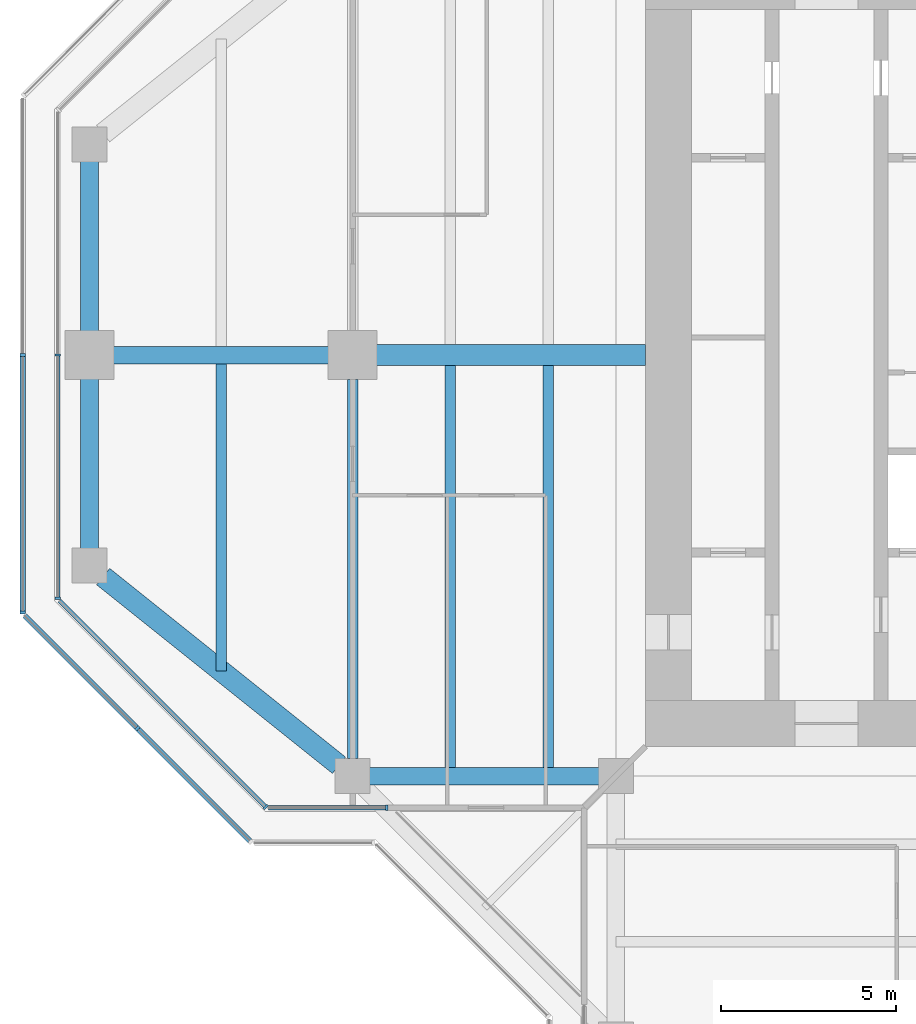
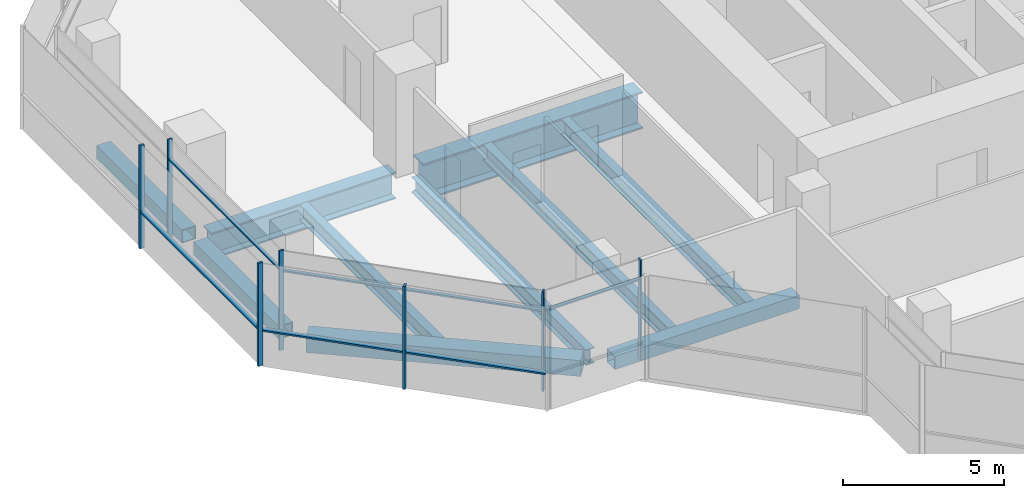
# One storey, part 3 of 16: 13 members, 10 beams, 5 elements without a shape of their own.
"""IFC4 building model written with IfcOpenShell, lengths in metres."""

from ifc_helpers import new_model, si_unit, direction, frame, origin, origin_2d, place, context, subcontext, project, spatial, rectangle, hollow_rectangle, i_section, extrude, material, material_profile, profile_set, type_object, element, aggregate, save


model = new_model("IFC4")

# Units and contexts
model_context = context("Model", 3, precision=1e-05, world=origin(), true_north=direction((0.0, 1.0)))
body_context = subcontext(model_context, "Body", "Model", "MODEL_VIEW")
ifc_project = project(units=[si_unit("LENGTHUNIT", "METRE"), si_unit("AREAUNIT", "SQUARE_METRE"), si_unit("VOLUMEUNIT", "CUBIC_METRE"), si_unit("PLANEANGLEUNIT", "RADIAN"), si_unit("MASSUNIT", "GRAM", prefix="KILO")], contexts=[model_context])

# Site, building, storey
site_placement = place(None, origin())
site = spatial("IfcSite", under=ifc_project, at=site_placement, CompositionType="ELEMENT")
building_placement = place(site_placement, origin())
building = spatial("IfcBuilding", under=site, at=building_placement, Name="Mizan Broadcast Tower", CompositionType="ELEMENT")
storey_placement = place(building_placement, frame((0.0, 0.0, 290.699951171875)))
storey = spatial("IfcBuildingStorey", under=building, at=storey_placement, Name="L69", CompositionType="ELEMENT", Elevation=290.699951171875)

# Beams
ifc_material_1 = material(Name="Steel S355", Category="steel")
ifc_material_profile_1 = material_profile(ifc_material_1, hollow_rectangle(XDim=0.5, YDim=0.5, WallThickness=0.030029296875, at=origin_2d()), Name="BOX 500x500x30")
ifc_profile_set_1 = profile_set([ifc_material_profile_1], Name="Steel S355")
beam_type_1 = type_object("IfcBeamType", Name="EDGE BEAM BOX 500x500x30", PredefinedType="SPANDREL", material=ifc_profile_set_1)
beam_1_placement = place(storey_placement, frame((-27.0, 5.639892578125, -0.3798828125), z_axis=(0.0, -1.0, 0.0), x_axis=(1.0, 0.0, 0.0)))
element("IfcBeam", 1, at=beam_1_placement, inside=storey, type_object=beam_type_1, Name="Edge beam BOX 500x500x30 L69 west arm", PredefinedType="SPANDREL", context=body_context, shape_type="SweptSolid", body=[
    extrude(hollow_rectangle(XDim=0.5, YDim=0.5, WallThickness=0.030029296875, at=origin_2d()), origin(), (0.0, 0.0, 1.0), 5.27978515625),
])
beam_2_placement = place(storey_placement, frame((-12.449951171875, -12.0, -0.3798828125), z_axis=(-1.0, 0.0, 0.0), x_axis=(0.0, -1.0, 0.0)))
element("IfcBeam", 2, at=beam_2_placement, inside=storey, type_object=beam_type_1, Name="Edge beam BOX 500x500x30 L69 west arm", PredefinedType="SPANDREL", context=body_context, shape_type="SweptSolid", body=[
    extrude(hollow_rectangle(XDim=0.5, YDim=0.5, WallThickness=0.030029296875, at=origin_2d()), origin(), (0.0, 0.0, 1.0), 6.60009765625),
])
beam_3_placement = place(storey_placement, frame((-27.0, -5.639892578125, -0.3798828125), z_axis=(0.0, 1.0, 0.0), x_axis=(-1.0, 0.0, 0.0)))
element("IfcBeam", 3, at=beam_3_placement, inside=storey, type_object=beam_type_1, Name="Edge beam BOX 500x500x30 L69 west arm", PredefinedType="SPANDREL", context=body_context, shape_type="SweptSolid", body=[
    extrude(hollow_rectangle(XDim=0.5, YDim=0.5, WallThickness=0.030029296875, at=origin_2d()), origin(), (0.0, 0.0, 1.0), 5.27978515625),
])
ifc_material_2 = material(Name="Steel S355", Category="steel")
ifc_material_profile_2 = material_profile(ifc_material_2, hollow_rectangle(XDim=0.60009765625, YDim=0.60009765625, WallThickness=0.030029296875, at=origin_2d()), Name="BOX 600x600x30")
ifc_profile_set_2 = profile_set([ifc_material_profile_2], Name="Steel S355")
beam_type_2 = type_object("IfcBeamType", Name="EDGE BEAM BOX 600x600x30", PredefinedType="SPANDREL", material=ifc_profile_set_2)
beam_4_placement = place(storey_placement, frame((-19.890380859375, -11.687744140625, -0.429931640625), z_axis=(-0.780863273348, 0.62470196761, 0.0), x_axis=(-0.62470196761, -0.780863273348, 0.0)))
element("IfcBeam", 4, at=beam_4_placement, inside=storey, type_object=beam_type_2, Name="Edge beam BOX 600x600x30 L69 west arm", PredefinedType="SPANDREL", context=body_context, shape_type="SweptSolid", body=[
    extrude(hollow_rectangle(XDim=0.60009765625, YDim=0.60009765625, WallThickness=0.030029296875, at=origin_2d()), origin(), (0.0, 0.0, 1.0), 8.60498046875),
])
ifc_material_3 = material(Name="Steel S355", Category="steel")
ifc_material_profile_3 = material_profile(ifc_material_3, i_section(OverallWidth=0.300048828125, OverallDepth=0.590087890625, WebThickness=0.012939453125, FlangeThickness=0.02490234375, FilletRadius=0.027099609375, at=origin_2d()), Name="HEA 600")
ifc_profile_set_3 = profile_set([ifc_material_profile_3], Name="Steel S355")
beam_type_3 = type_object("IfcBeamType", Name="GIRDER HEA 600", PredefinedType="BEAM", material=ifc_profile_set_3)
beam_5_placement = place(storey_placement, frame((-19.5, -11.5, -0.425048828125), z_axis=(0.0, 1.0, 0.0), x_axis=(-1.0, 0.0, 0.0)))
element("IfcBeam", 5, at=beam_5_placement, inside=storey, type_object=beam_type_3, Name="Girder HEA 600 L69 west arm", PredefinedType="BEAM", context=body_context, shape_type="SweptSolid", body=[
    extrude(i_section(OverallWidth=0.300048828125, OverallDepth=0.590087890625, WebThickness=0.012939453125, FlangeThickness=0.02490234375, FilletRadius=0.027099609375, at=origin_2d()), origin(), (0.0, 0.0, 1.0), 10.800048828125),
])
ifc_material_4 = material(Name="Steel S460", Category="steel")
ifc_material_profile_4 = material_profile(ifc_material_4, i_section(OverallWidth=0.5, OverallDepth=1.0, WebThickness=0.02490234375, FlangeThickness=0.050048828125, at=origin_2d()), Name="WPG 1000x500")
ifc_profile_set_4 = profile_set([ifc_material_profile_4], Name="Steel S460")
beam_type_4 = type_object("IfcBeamType", Name="GIRDER WPG 1000x500", PredefinedType="BEAM", material=ifc_profile_set_4)
beam_6_placement = place(storey_placement, frame((-19.949951171875, 0.0, -0.6298828125), z_axis=(-1.0, 0.0, 0.0), x_axis=(0.0, -1.0, 0.0)))
element("IfcBeam", 6, at=beam_6_placement, inside=storey, type_object=beam_type_4, Name="Girder WPG 1000x500 L69 west arm", PredefinedType="BEAM", context=body_context, shape_type="SweptSolid", body=[
    extrude(i_section(OverallWidth=0.5, OverallDepth=1.0, WebThickness=0.02490234375, FlangeThickness=0.050048828125, at=origin_2d()), origin(), (0.0, 0.0, 1.0), 6.60009765625),
])
ifc_material_5 = material(Name="Steel S460", Category="steel")
ifc_material_profile_5 = material_profile(ifc_material_5, i_section(OverallWidth=0.60009765625, OverallDepth=1.39990234375, WebThickness=0.02490234375, FlangeThickness=0.06005859375, at=origin_2d()), Name="WPG 1400x600")
ifc_profile_set_5 = profile_set([ifc_material_profile_5], Name="Steel S460")
beam_type_5 = type_object("IfcBeamType", Name="GIRDER WPG 1400x600", PredefinedType="BEAM", material=ifc_profile_set_5)
beam_7_placement = place(storey_placement, frame((-11.14990234375, 0.0, -0.829833984375), z_axis=(-1.0, 0.0, 0.0), x_axis=(0.0, -1.0, 0.0)))
element("IfcBeam", 7, at=beam_7_placement, inside=storey, type_object=beam_type_5, Name="Girder WPG 1400x600 L69 west arm", PredefinedType="BEAM", context=body_context, shape_type="SweptSolid", body=[
    extrude(i_section(OverallWidth=0.60009765625, OverallDepth=1.39990234375, WebThickness=0.02490234375, FlangeThickness=0.06005859375, at=origin_2d()), origin(), (0.0, 0.0, 1.0), 7.84912109375),
])

# Curtain wall, members
ifc_material_6 = material(Name="Aluminium framed glazing", Category="aluminium")
curtain_wall_type_1 = type_object("IfcCurtainWallType", Name="INNER SKIN TOP ZONE", PredefinedType="USERDEFINED", material=ifc_material_6)
curtain_wall_1_placement = place(storey_placement, origin())
curtain_wall_1 = element("IfcCurtainWall", 8, at=curtain_wall_1_placement, inside=storey, type_object=curtain_wall_type_1, Name="Inner skin top zone L69 W end", ObjectType="INNER SKIN TOP ZONE", PredefinedType="USERDEFINED")
ifc_material_7 = material(Name="Aluminium, pale anodised", Category="aluminium")
ifc_material_profile_6 = material_profile(ifc_material_7, rectangle(XDim=0.159912109375, YDim=0.06005859375, at=origin_2d()), Name="MULLION 160x60")
ifc_profile_set_6 = profile_set([ifc_material_profile_6], Name="Aluminium, pale anodised")
member_type_1 = type_object("IfcMemberType", Name="INNER SKIN MULLION 60x160", PredefinedType="MULLION", material=ifc_profile_set_6)
member_1_placement = place(storey_placement, frame((-27.89990234375, 0.0, 0.0), z_axis=(0.0, 0.0, 1.0), x_axis=(1.0, 0.0, 0.0)))
member_1 = element("IfcMember", 9, at=member_1_placement, type_object=member_type_1, Name="Inner skin top zone L69 W end mullion 2", PredefinedType="MULLION", context=body_context, shape_type="SweptSolid", body=[
    extrude(rectangle(XDim=0.159912109375, YDim=0.06005859375, at=origin_2d()), origin(), (0.0, 0.0, 1.0), 3.77001953125),
])
member_2_placement = place(storey_placement, frame((-27.89990234375, -6.928466796875, 0.0), z_axis=(0.0, 0.0, 1.0), x_axis=(1.0, 0.0, 0.0)))
member_2 = element("IfcMember", 10, at=member_2_placement, type_object=member_type_1, Name="Inner skin top zone L69 W end mullion 3", PredefinedType="MULLION", context=body_context, shape_type="SweptSolid", body=[
    extrude(rectangle(XDim=0.159912109375, YDim=0.06005859375, at=origin_2d()), origin(), (0.0, 0.0, 1.0), 3.77001953125),
])

# Curtain wall, member
curtain_wall_2_placement = place(storey_placement, origin())
curtain_wall_2 = element("IfcCurtainWall", 11, at=curtain_wall_2_placement, inside=storey, type_object=curtain_wall_type_1, Name="Inner skin top zone L69 W chamfer", ObjectType="INNER SKIN TOP ZONE", PredefinedType="USERDEFINED")
member_3_placement = place(storey_placement, frame((-21.979736328125, -12.87890625, 0.0), z_axis=(0.0, 0.0, 1.0), x_axis=(0.707106781187, 0.707106781187, 0.0)))
member_3 = element("IfcMember", 12, at=member_3_placement, type_object=member_type_1, Name="Inner skin top zone L69 W chamfer mullion 2", PredefinedType="MULLION", context=body_context, shape_type="SweptSolid", body=[
    extrude(rectangle(XDim=0.159912109375, YDim=0.06005859375, at=origin_2d()), origin(), (0.0, 0.0, 1.0), 3.77001953125),
])

curtain_wall_3_placement = place(storey_placement, origin())
curtain_wall_3 = element("IfcCurtainWall", 13, at=curtain_wall_3_placement, inside=storey, type_object=curtain_wall_type_1, Name="Inner skin top zone L69 W side", ObjectType="INNER SKIN TOP ZONE", PredefinedType="USERDEFINED")
member_4_placement = place(storey_placement, frame((-18.530029296875, -12.89990234375, 0.0), z_axis=(0.0, 0.0, 1.0), x_axis=(0.0, 1.0, 0.0)))
member_4 = element("IfcMember", 14, at=member_4_placement, type_object=member_type_1, Name="Inner skin top zone L69 W side mullion 2", PredefinedType="MULLION", context=body_context, shape_type="SweptSolid", body=[
    extrude(rectangle(XDim=0.159912109375, YDim=0.06005859375, at=origin_2d()), origin(), (0.0, 0.0, 1.0), 3.77001953125),
])

# Member
ifc_material_8 = material(Name="Aluminium, pale anodised", Category="aluminium")
ifc_material_profile_7 = material_profile(ifc_material_8, rectangle(XDim=0.1201171875, YDim=0.06005859375, at=origin_2d()), Name="TRANSOM 120x60")
ifc_profile_set_7 = profile_set([ifc_material_profile_7], Name="Aluminium, pale anodised")
member_type_2 = type_object("IfcMemberType", Name="INNER SKIN TRANSOM 60x120", PredefinedType="USERDEFINED", material=ifc_profile_set_7)
member_5_placement = place(storey_placement, frame((-27.89990234375, -0.030029296875, 3.030029296875), z_axis=(0.0, -1.0, 0.0), x_axis=(1.0, 0.0, 0.0)))
member_5 = element("IfcMember", 15, at=member_5_placement, type_object=member_type_2, Name="Inner skin top zone L69 W end transom 2.1", ObjectType="TRANSOM", PredefinedType="USERDEFINED", context=body_context, shape_type="SweptSolid", body=[
    extrude(rectangle(XDim=0.1201171875, YDim=0.06005859375, at=origin_2d()), origin(), (0.0, 0.0, 1.0), 6.86865234375),
])

aggregate(curtain_wall_1, [member_1, member_2, member_5])

member_6_placement = place(storey_placement, frame((-27.857666015625, -7.0009765625, 3.030029296875), z_axis=(0.707106781187, -0.707106781187, 0.0), x_axis=(0.707106781187, 0.707106781187, 0.0)))
member_6 = element("IfcMember", 16, at=member_6_placement, type_object=member_type_2, Name="Inner skin top zone L69 W chamfer transom 1.1", ObjectType="TRANSOM", PredefinedType="USERDEFINED", context=body_context, shape_type="SweptSolid", body=[
    extrude(rectangle(XDim=0.1201171875, YDim=0.06005859375, at=origin_2d()), origin(), (0.0, 0.0, 1.0), 8.28271484375),
])

aggregate(curtain_wall_2, [member_3, member_6])

member_7_placement = place(storey_placement, frame((-21.898681640625, -12.89990234375, 3.030029296875), z_axis=(1.0, 0.0, 0.0), x_axis=(0.0, 1.0, 0.0)))
member_7 = element("IfcMember", 17, at=member_7_placement, type_object=member_type_2, Name="Inner skin top zone L69 W side transom 1.1", ObjectType="TRANSOM", PredefinedType="USERDEFINED", context=body_context, shape_type="SweptSolid", body=[
    extrude(rectangle(XDim=0.1201171875, YDim=0.06005859375, at=origin_2d()), origin(), (0.0, 0.0, 1.0), 3.338623046875),
])

aggregate(curtain_wall_3, [member_4, member_7])

# Curtain wall, member
ifc_material_9 = material(Name="Aluminium framed glazing", Category="aluminium")
curtain_wall_type_2 = type_object("IfcCurtainWallType", Name="OUTER SKIN", PredefinedType="USERDEFINED", material=ifc_material_9)
curtain_wall_4_placement = place(storey_placement, origin())
curtain_wall_4 = element("IfcCurtainWall", 18, at=curtain_wall_4_placement, inside=storey, type_object=curtain_wall_type_2, Name="Outer skin L69 W chamfer", ObjectType="OUTER SKIN", PredefinedType="USERDEFINED")
ifc_material_10 = material(Name="Aluminium, pale anodised", Category="aluminium")
ifc_material_profile_8 = material_profile(ifc_material_10, rectangle(XDim=0.159912109375, YDim=0.080078125, at=origin_2d()), Name="MULLION 160x80")
ifc_profile_set_8 = profile_set([ifc_material_profile_8], Name="Aluminium, pale anodised")
member_type_3 = type_object("IfcMemberType", Name="OUTER SKIN MULLION 80x160", PredefinedType="MULLION", material=ifc_profile_set_8)
member_8_placement = place(storey_placement, frame((-25.636474609375, -10.636474609375, 0.0), z_axis=(0.0, 0.0, 1.0), x_axis=(0.707106781187, 0.707106781187, 0.0)))
member_8 = element("IfcMember", 19, at=member_8_placement, type_object=member_type_3, Name="Outer skin L69 W chamfer mullion 2", PredefinedType="MULLION", context=body_context, shape_type="SweptSolid", body=[
    extrude(rectangle(XDim=0.159912109375, YDim=0.080078125, at=origin_2d()), origin(), (0.0, 0.0, 1.0), 3.900146484375),
])

# Curtain wall, members
curtain_wall_5_placement = place(storey_placement, origin())
curtain_wall_5 = element("IfcCurtainWall", 20, at=curtain_wall_5_placement, inside=storey, type_object=curtain_wall_type_2, Name="Outer skin L69 W end", ObjectType="OUTER SKIN", PredefinedType="USERDEFINED")
member_9_placement = place(storey_placement, frame((-28.89990234375, 0.0, 0.0), z_axis=(0.0, 0.0, 1.0), x_axis=(1.0, 0.0, 0.0)))
member_9 = element("IfcMember", 21, at=member_9_placement, type_object=member_type_3, Name="Outer skin L69 W end mullion 2", PredefinedType="MULLION", context=body_context, shape_type="SweptSolid", body=[
    extrude(rectangle(XDim=0.159912109375, YDim=0.080078125, at=origin_2d()), origin(), (0.0, 0.0, 1.0), 3.900146484375),
])
member_10_placement = place(storey_placement, frame((-28.89990234375, -7.332763671875, 0.0), z_axis=(0.0, 0.0, 1.0), x_axis=(1.0, 0.0, 0.0)))
member_10 = element("IfcMember", 22, at=member_10_placement, type_object=member_type_3, Name="Outer skin L69 W end mullion 3", PredefinedType="MULLION", context=body_context, shape_type="SweptSolid", body=[
    extrude(rectangle(XDim=0.159912109375, YDim=0.080078125, at=origin_2d()), origin(), (0.0, 0.0, 1.0), 3.900146484375),
])

# Member
ifc_material_11 = material(Name="Aluminium, pale anodised", Category="aluminium")
ifc_material_profile_9 = material_profile(ifc_material_11, rectangle(XDim=0.159912109375, YDim=0.06005859375, at=origin_2d()), Name="TRANSOM 160x60")
ifc_profile_set_9 = profile_set([ifc_material_profile_9], Name="Aluminium, pale anodised")
member_type_4 = type_object("IfcMemberType", Name="OUTER SKIN TRANSOM 60x160", PredefinedType="USERDEFINED", material=ifc_profile_set_9)
member_11_placement = place(storey_placement, frame((-28.843505859375, -7.429443359375, 1.400146484375), z_axis=(0.707106781187, -0.707106781187, 0.0), x_axis=(0.707106781187, 0.707106781187, 0.0)))
member_11 = element("IfcMember", 23, at=member_11_placement, type_object=member_type_4, Name="Outer skin L69 W chamfer transom 1.1", ObjectType="TRANSOM", PredefinedType="USERDEFINED", context=body_context, shape_type="SweptSolid", body=[
    extrude(rectangle(XDim=0.159912109375, YDim=0.06005859375, at=origin_2d()), origin(), (0.0, 0.0, 1.0), 4.495361328125),
])

member_12_placement = place(storey_placement, frame((-25.608154296875, -10.664794921875, 1.400146484375), z_axis=(0.707106781187, -0.707106781187, 0.0), x_axis=(0.707106781187, 0.707106781187, 0.0)))
member_12 = element("IfcMember", 24, at=member_12_placement, type_object=member_type_4, Name="Outer skin L69 W chamfer transom 2.1", ObjectType="TRANSOM", PredefinedType="USERDEFINED", context=body_context, shape_type="SweptSolid", body=[
    extrude(rectangle(XDim=0.159912109375, YDim=0.06005859375, at=origin_2d()), origin(), (0.0, 0.0, 1.0), 4.495361328125),
])

aggregate(curtain_wall_4, [member_8, member_11, member_12])

member_13_placement = place(storey_placement, frame((-28.89990234375, -0.0400390625, 1.400146484375), z_axis=(0.0, -1.0, 0.0), x_axis=(1.0, 0.0, 0.0)))
member_13 = element("IfcMember", 25, at=member_13_placement, type_object=member_type_4, Name="Outer skin L69 W end transom 2.1", ObjectType="TRANSOM", PredefinedType="USERDEFINED", context=body_context, shape_type="SweptSolid", body=[
    extrude(rectangle(XDim=0.159912109375, YDim=0.06005859375, at=origin_2d()), origin(), (0.0, 0.0, 1.0), 7.252685546875),
])

aggregate(curtain_wall_5, [member_9, member_10, member_13])

# Beams
ifc_material_12 = material(Name="Steel S355", Category="steel")
ifc_material_profile_10 = material_profile(ifc_material_12, i_section(OverallWidth=0.300048828125, OverallDepth=0.590087890625, WebThickness=0.012939453125, FlangeThickness=0.02490234375, FilletRadius=0.027099609375, at=origin_2d()), Name="HEA 600")
ifc_profile_set_10 = profile_set([ifc_material_profile_10], Name="Steel S355")
beam_type_6 = type_object("IfcBeamType", Name="SECONDARY BEAM HEA 600", PredefinedType="JOIST", material=ifc_profile_set_10)
for number, where, z_axis, x_axis, name in (
    (26, (-13.933349609375, -12.0, -0.425048828125), (0.0, 1.0, 0.0), (-1.0, 0.0, 0.0), "Secondary beam HEA 600 L69 west arm"),
    (27, (-16.716552734375, -12.0, -0.425048828125), (0.0, 1.0, 0.0), (-1.0, 0.0, 0.0), "Secondary beam HEA 600 L69 west arm"),
):
    element("IfcBeam", number, at=place(storey_placement, frame(where, z_axis=z_axis, x_axis=x_axis)), inside=storey, type_object=beam_type_6, Name=name, PredefinedType="JOIST", context=body_context, shape_type="SweptSolid", body=[
        extrude(i_section(OverallWidth=0.300048828125, OverallDepth=0.590087890625, WebThickness=0.012939453125, FlangeThickness=0.02490234375, FilletRadius=0.027099609375, at=origin_2d()), origin(), (0.0, 0.0, 1.0), 11.699951171875),
    ])
beam_8_placement = place(storey_placement, frame((-23.25, -9.0, -0.425048828125), z_axis=(0.0, 1.0, 0.0), x_axis=(-1.0, 0.0, 0.0)))
element("IfcBeam", 28, at=beam_8_placement, inside=storey, type_object=beam_type_6, Name="Secondary beam HEA 600 L69 west arm", PredefinedType="JOIST", context=body_context, shape_type="SweptSolid", body=[
    extrude(i_section(OverallWidth=0.300048828125, OverallDepth=0.590087890625, WebThickness=0.012939453125, FlangeThickness=0.02490234375, FilletRadius=0.027099609375, at=origin_2d()), origin(), (0.0, 0.0, 1.0), 8.75),
])

save(model, "model.ifc")
